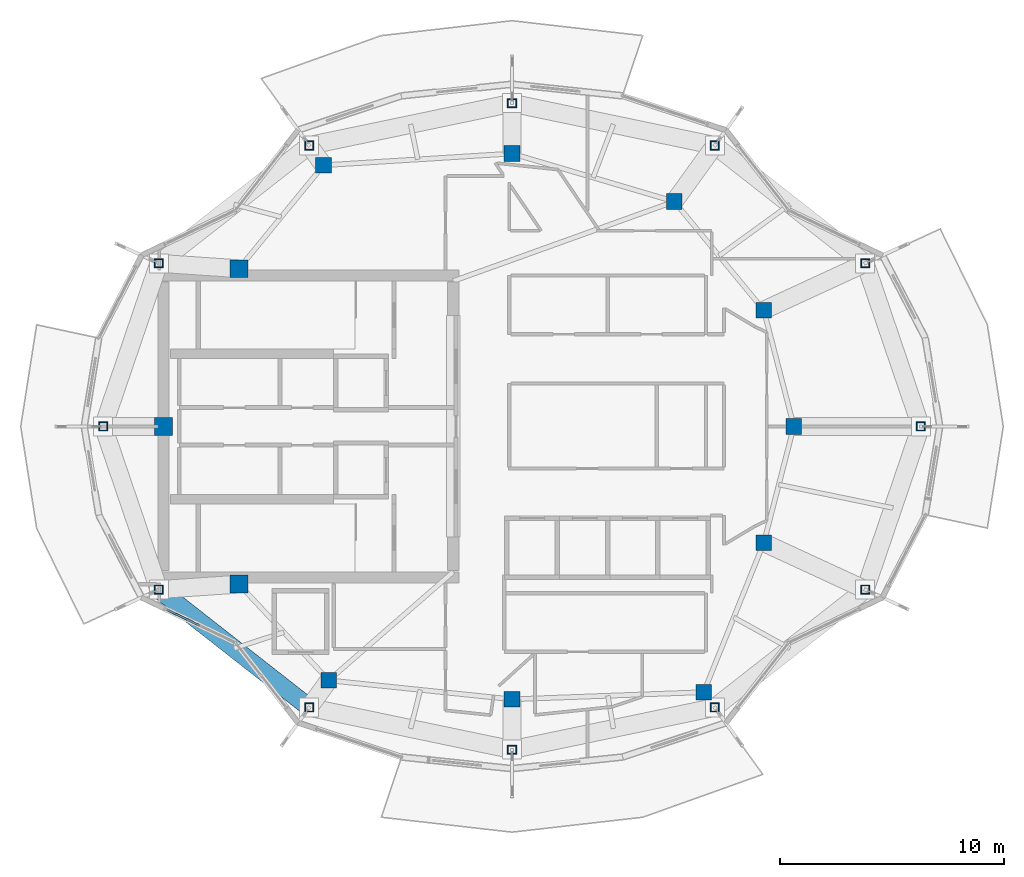
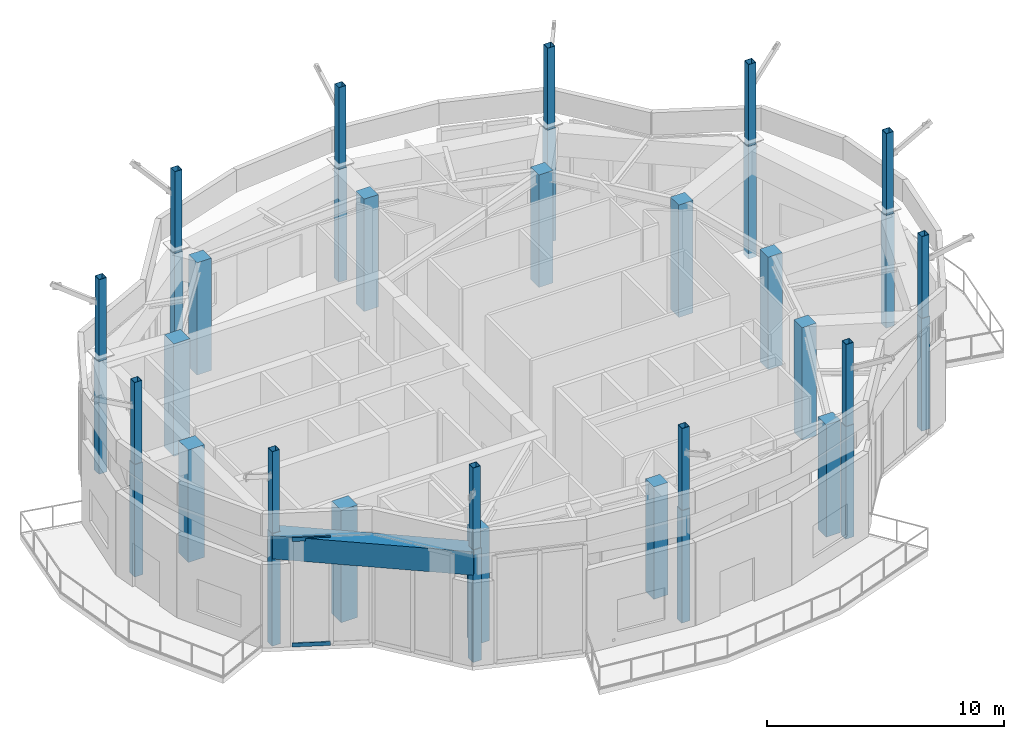
# One storey, part 1 of 13: 36 columns, 2 members, 1 beam, 1 element without a shape of its own.
"""IFC4 building model written with IfcOpenShell, lengths in metres."""

from ifc_helpers import new_model, si_unit, direction, frame, origin, origin_2d, place, context, subcontext, project, spatial, rectangle, hollow_rectangle, extrude, material, layer, layer_set, material_profile, profile_set, type_object, element, aggregate, save


model = new_model("IFC4")

# Units and contexts
model_context = context("Model", 3, precision=1e-05, world=origin(), true_north=direction((0.0, 1.0)))
body_context = subcontext(model_context, "Body", "Model", "MODEL_VIEW")
ifc_project = project(units=[si_unit("LENGTHUNIT", "METRE"), si_unit("AREAUNIT", "SQUARE_METRE"), si_unit("VOLUMEUNIT", "CUBIC_METRE"), si_unit("PLANEANGLEUNIT", "RADIAN"), si_unit("MASSUNIT", "GRAM", prefix="KILO")], contexts=[model_context])

# Site, building, storey
site_placement = place(None, origin())
site = spatial("IfcSite", under=ifc_project, at=site_placement, CompositionType="ELEMENT")
building_placement = place(site_placement, origin())
building = spatial("IfcBuilding", under=site, at=building_placement, Name="Kolvaren Gate Tower and Convention Centre", CompositionType="ELEMENT")
storey_placement = place(building_placement, frame((0.0, 0.0, 281.60009765625)))
storey = spatial("IfcBuildingStorey", under=building, at=storey_placement, Name="L76", CompositionType="ELEMENT", Elevation=281.60009765625)

# Columns
ifc_material_1 = material(Name="Structural steel ASTM A500 Grade C 345 MPa", Category="steel")
ifc_material_profile_1 = material_profile(ifc_material_1, hollow_rectangle(XDim=0.35595703125, YDim=0.35595703125, WallThickness=0.015869140625, at=origin_2d()), Name="HSS356X356X15.9")
ifc_profile_set_1 = profile_set([ifc_material_profile_1], Name="Structural steel ASTM A500 Grade C 345 MPa")
column_type_1 = type_object("IfcColumnType", Name="STR-COL-HSS356", PredefinedType="COLUMN", material=ifc_profile_set_1)
for number, where, z_axis, x_axis, name in (
    (1, (48.39990234375, 27.0, 5.5), (0.0, 0.0, 1.0), (1.0, 0.0, 0.0), "Crown Canopy Frame Column SC-01 (CROWN FRAME)"),
    (2, (45.916015625, 34.293701171875, 5.5), (0.0, 0.0, 1.0), (1.0, 0.0, 0.0), "Crown Canopy Frame Column SC-02 (CROWN FRAME)"),
    (3, (39.190185546875, 39.560791015625, 5.5), (0.0, 0.0, 1.0), (1.0, 0.0, 0.0), "Crown Canopy Frame Column SC-03 (CROWN FRAME)"),
    (4, (30.125, 41.449951171875, 5.5), (0.0, 0.0, 1.0), (1.0, 0.0, 0.0), "Crown Canopy Frame Column SC-04 (CROWN FRAME)"),
    (5, (21.059814453125, 39.560791015625, 5.5), (0.0, 0.0, 1.0), (1.0, 0.0, 0.0), "Crown Canopy Frame Column SC-05 (CROWN FRAME)"),
    (6, (14.333984375, 34.293701171875, 5.5), (0.0, 0.0, 1.0), (1.0, 0.0, 0.0), "Crown Canopy Frame Column SC-06 (CROWN FRAME)"),
    (7, (11.85009765625, 27.0, 5.5), (0.0, 0.0, 1.0), (1.0, 0.0, 0.0), "Crown Canopy Frame Column SC-07 (CROWN FRAME)"),
    (8, (14.333984375, 19.706298828125, 5.5), (0.0, 0.0, 1.0), (1.0, 0.0, 0.0), "Crown Canopy Frame Column SC-08 (CROWN FRAME)"),
    (9, (21.059814453125, 14.439208984375, 5.5), (0.0, 0.0, 1.0), (1.0, 0.0, 0.0), "Crown Canopy Frame Column SC-09 (CROWN FRAME)"),
    (10, (30.125, 12.550048828125, 5.5), (0.0, 0.0, 1.0), (1.0, 0.0, 0.0), "Crown Canopy Frame Column SC-10 (CROWN FRAME)"),
    (11, (39.190185546875, 14.439208984375, 5.5), (0.0, 0.0, 1.0), (1.0, 0.0, 0.0), "Crown Canopy Frame Column SC-11 (CROWN FRAME)"),
    (12, (45.916015625, 19.706298828125, 5.5), (0.0, 0.0, 1.0), (1.0, 0.0, 0.0), "Crown Canopy Frame Column SC-12 (CROWN FRAME)"),
):
    element("IfcColumn", number, at=place(storey_placement, frame(where, z_axis=z_axis, x_axis=x_axis)), inside=storey, type_object=column_type_1, Name=name, PredefinedType="COLUMN", context=body_context, shape_type="SweptSolid", body=[
        extrude(hollow_rectangle(XDim=0.35595703125, YDim=0.35595703125, WallThickness=0.015869140625, at=origin_2d()), origin(), (0.0, 0.0, 1.0), 4.199951171875),
    ])
ifc_material_profile_2 = material_profile(ifc_material_1, hollow_rectangle(XDim=0.406005859375, YDim=0.406005859375, WallThickness=0.015869140625, at=origin_2d()), Name="HSS406X406X15.9")
ifc_profile_set_2 = profile_set([ifc_material_profile_2], Name="Structural steel ASTM A500 Grade C 345 MPa")
column_type_2 = type_object("IfcColumnType", Name="STR-COL-HSS406", PredefinedType="COLUMN", material=ifc_profile_set_2)
for number, where, z_axis, x_axis, name in (
    (13, (48.39990234375, 27.0, -0.280029296875), (0.0, 0.0, 1.0), (1.0, 0.0, 0.0), "Tower L76 Perimeter Supercolumn TP-01"),
    (14, (45.916015625, 34.293701171875, -0.280029296875), (0.0, 0.0, 1.0), (1.0, 0.0, 0.0), "Tower L76 Perimeter Supercolumn TP-02"),
    (15, (39.190185546875, 39.560791015625, -0.280029296875), (0.0, 0.0, 1.0), (1.0, 0.0, 0.0), "Tower L76 Perimeter Supercolumn TP-03"),
    (16, (30.125, 41.449951171875, -0.280029296875), (0.0, 0.0, 1.0), (1.0, 0.0, 0.0), "Tower L76 Perimeter Supercolumn TP-04"),
    (17, (21.059814453125, 39.560791015625, -0.280029296875), (0.0, 0.0, 1.0), (1.0, 0.0, 0.0), "Tower L76 Perimeter Supercolumn TP-05"),
    (18, (14.333984375, 34.293701171875, -0.280029296875), (0.0, 0.0, 1.0), (1.0, 0.0, 0.0), "Tower L76 Perimeter Supercolumn TP-06"),
    (19, (11.85009765625, 27.0, -0.280029296875), (0.0, 0.0, 1.0), (1.0, 0.0, 0.0), "Tower L76 Perimeter Supercolumn TP-07"),
    (20, (14.333984375, 19.706298828125, -0.280029296875), (0.0, 0.0, 1.0), (1.0, 0.0, 0.0), "Tower L76 Perimeter Supercolumn TP-08"),
    (21, (21.059814453125, 14.439208984375, -0.280029296875), (0.0, 0.0, 1.0), (1.0, 0.0, 0.0), "Tower L76 Perimeter Supercolumn TP-09"),
    (22, (30.125, 12.550048828125, -0.280029296875), (0.0, 0.0, 1.0), (1.0, 0.0, 0.0), "Tower L76 Perimeter Supercolumn TP-10"),
    (23, (39.190185546875, 14.439208984375, -0.280029296875), (0.0, 0.0, 1.0), (1.0, 0.0, 0.0), "Tower L76 Perimeter Supercolumn TP-11"),
    (24, (45.916015625, 19.706298828125, -0.280029296875), (0.0, 0.0, 1.0), (1.0, 0.0, 0.0), "Tower L76 Perimeter Supercolumn TP-12"),
):
    element("IfcColumn", number, at=place(storey_placement, frame(where, z_axis=z_axis, x_axis=x_axis)), inside=storey, type_object=column_type_2, Name=name, PredefinedType="COLUMN", context=body_context, shape_type="SweptSolid", body=[
        extrude(hollow_rectangle(XDim=0.406005859375, YDim=0.406005859375, WallThickness=0.015869140625, at=origin_2d()), origin(), (0.0, 0.0, 1.0), 5.780029296875),
    ])
ifc_material_2 = material(Name="Concrete C50/60", Category="concrete")
ifc_material_profile_3 = material_profile(ifc_material_2, rectangle(XDim=0.699951171875, YDim=0.699951171875, at=origin_2d()), Name="RC-COL-700X700")
ifc_profile_set_3 = profile_set([ifc_material_profile_3], Name="Concrete C50/60")
column_type_3 = type_object("IfcColumnType", Name="STR-COL-RC700", PredefinedType="COLUMN", material=ifc_profile_set_3)
for number, where, z_axis, x_axis, name in (
    (25, (42.72509765625, 27.0, -0.280029296875), (0.0, 0.0, 1.0), (1.0, 0.0, 0.0), "Tower L76 Interior Column TI-01"),
    (26, (41.382080078125, 32.199462890625, -0.280029296875), (0.0, 0.0, 1.0), (1.0, 0.0, 0.0), "Tower L76 Interior Column TI-02"),
    (27, (37.381591796875, 37.054931640625, -0.280029296875), (0.0, 0.0, 1.0), (1.0, 0.0, 0.0), "Tower L76 Interior Column TI-03"),
    (28, (30.125, 39.199951171875, -0.280029296875), (0.0, 0.0, 1.0), (1.0, 0.0, 0.0), "Tower L76 Interior Column TI-04"),
    (29, (21.697998046875, 38.6767578125, -0.280029296875), (0.0, 0.0, 1.0), (1.0, 0.0, 0.0), "Tower L76 Interior Column TI-05"),
    (30, (21.93212890625, 15.647705078125, -0.280029296875), (0.0, 0.0, 1.0), (1.0, 0.0, 0.0), "Tower L76 Interior Column TI-06"),
    (31, (30.125, 14.800048828125, -0.280029296875), (0.0, 0.0, 1.0), (1.0, 0.0, 0.0), "Tower L76 Interior Column TI-07"),
    (32, (38.6982421875, 15.12060546875, -0.280029296875), (0.0, 0.0, 1.0), (1.0, 0.0, 0.0), "Tower L76 Interior Column TI-08"),
    (33, (41.382080078125, 21.800537109375, -0.280029296875), (0.0, 0.0, 1.0), (1.0, 0.0, 0.0), "Tower L76 Interior Column TI-09"),
):
    element("IfcColumn", number, at=place(storey_placement, frame(where, z_axis=z_axis, x_axis=x_axis)), inside=storey, type_object=column_type_3, Name=name, PredefinedType="COLUMN", context=body_context, shape_type="SweptSolid", body=[
        extrude(rectangle(XDim=0.699951171875, YDim=0.699951171875, at=origin_2d()), origin(), (0.0, 0.0, 1.0), 5.780029296875),
    ])
ifc_material_3 = material(Name="Concrete C60/75", Category="concrete")
ifc_material_profile_4 = material_profile(ifc_material_3, rectangle(XDim=0.800048828125, YDim=0.800048828125, at=origin_2d()), Name="RC-COL-800X800")
ifc_profile_set_4 = profile_set([ifc_material_profile_4], Name="Concrete C60/75")
column_type_4 = type_object("IfcColumnType", Name="STR-PIL-RC800", PredefinedType="PILASTER", material=ifc_profile_set_4)
for number, where, z_axis, x_axis, name in (
    (34, (17.9140625, 34.050048828125, -0.280029296875), (0.0, 0.0, 1.0), (1.0, 0.0, 0.0), "Tower L76 Core Boundary Pilaster TC-05"),
    (35, (14.550048828125, 27.0, -0.280029296875), (0.0, 0.0, 1.0), (1.0, 0.0, 0.0), "Tower L76 Core Boundary Pilaster TC-06"),
    (36, (17.9140625, 19.949951171875, -0.280029296875), (0.0, 0.0, 1.0), (1.0, 0.0, 0.0), "Tower L76 Core Boundary Pilaster TC-07"),
):
    element("IfcColumn", number, at=place(storey_placement, frame(where, z_axis=z_axis, x_axis=x_axis)), inside=storey, type_object=column_type_4, Name=name, PredefinedType="PILASTER", context=body_context, shape_type="SweptSolid", body=[
        extrude(rectangle(XDim=0.800048828125, YDim=0.800048828125, at=origin_2d()), origin(), (0.0, 0.0, 1.0), 5.780029296875),
    ])

# Curtain wall, members
ifc_material_4 = material(Name="Anodized Architectural Aluminium Alloy 6063-T6", Category="aluminium")
ifc_layer = layer(ifc_material_4, 0.199951171875)
ifc_layer_set = layer_set([ifc_layer], Name="Anodized Architectural Aluminium Alloy 6063-T6")
curtain_wall_type = type_object("IfcCurtainWallType", Name="CW-SKY-GLZ", PredefinedType="NOTDEFINED", material=ifc_layer_set)
curtain_wall_placement = place(storey_placement, origin())
curtain_wall = element("IfcCurtainWall", 37, at=curtain_wall_placement, inside=storey, type_object=curtain_wall_type, Name="L76 Panoramic Structural Curtain Wall CW-14", PredefinedType="NOTDEFINED")
ifc_material_profile_5 = material_profile(ifc_material_4, rectangle(XDim=0.074951171875, YDim=0.199951171875, at=origin_2d()), Name="CW-MEM-TRN-200")
ifc_profile_set_5 = profile_set([ifc_material_profile_5], Name="Anodized Architectural Aluminium Alloy 6063-T6")
member_type = type_object("IfcMemberType", Name="CW-MEM-TRN-200", PredefinedType="USERDEFINED", material=ifc_profile_set_5)
member_1_placement = place(storey_placement, frame((14.6943359375, 18.805908203125, 0.037353515625), z_axis=(0.901384535873, -0.433019535921, 0.0), x_axis=(0.433019535921, 0.901384535873, 0.0)))
member_1 = element("IfcMember", 38, at=member_1_placement, type_object=member_type, Name="CW-05 transom 1.1", ObjectType="TRANSOM", PredefinedType="USERDEFINED", context=body_context, shape_type="SweptSolid", body=[
    extrude(rectangle(XDim=0.074951171875, YDim=0.199951171875, at=origin_2d()), origin(), (0.0, 0.0, 1.0), 1.623291015625),
])
member_2_placement = place(storey_placement, frame((14.6943359375, 18.805908203125, 5.46240234375), z_axis=(0.901384535873, -0.433019535921, 0.0), x_axis=(0.433019535921, 0.901384535873, 0.0)))
member_2 = element("IfcMember", 39, at=member_2_placement, type_object=member_type, Name="CW-05 transom 1.2", ObjectType="TRANSOM", PredefinedType="USERDEFINED", context=body_context, shape_type="SweptSolid", body=[
    extrude(rectangle(XDim=0.074951171875, YDim=0.199951171875, at=origin_2d()), origin(), (0.0, 0.0, 1.0), 1.623291015625),
])
aggregate(curtain_wall, [member_1, member_2])

# Beam
ifc_material_5 = material(Name="Concrete C70/85", Category="concrete")
ifc_material_profile_6 = material_profile(ifc_material_5, rectangle(XDim=0.800048828125, YDim=1.199951171875, at=origin_2d()), Name="RC-BM-800X1200")
ifc_profile_set_6 = profile_set([ifc_material_profile_6], Name="Concrete C70/85")
beam_type = type_object("IfcBeamType", Name="STR-TG-RC800X1200", PredefinedType="USERDEFINED", material=ifc_profile_set_6)
beam_placement = place(storey_placement, frame((14.333984375, 19.706298828125, 4.89990234375), z_axis=(0.787311981436, -0.616554818233, 0.0), x_axis=(0.616554818233, 0.787311981436, 0.0)))
element("IfcBeam", 40, at=beam_placement, inside=storey, type_object=beam_type, Name="Tower L76 Perimeter Spandrel Beam SP-08", ObjectType="TRANSFER GIRDER", PredefinedType="USERDEFINED", context=body_context, shape_type="SweptSolid", body=[
    extrude(rectangle(XDim=0.800048828125, YDim=1.199951171875, at=origin_2d()), origin(), (0.0, 0.0, 1.0), 8.542724609375),
])

save(model, "model.ifc")
